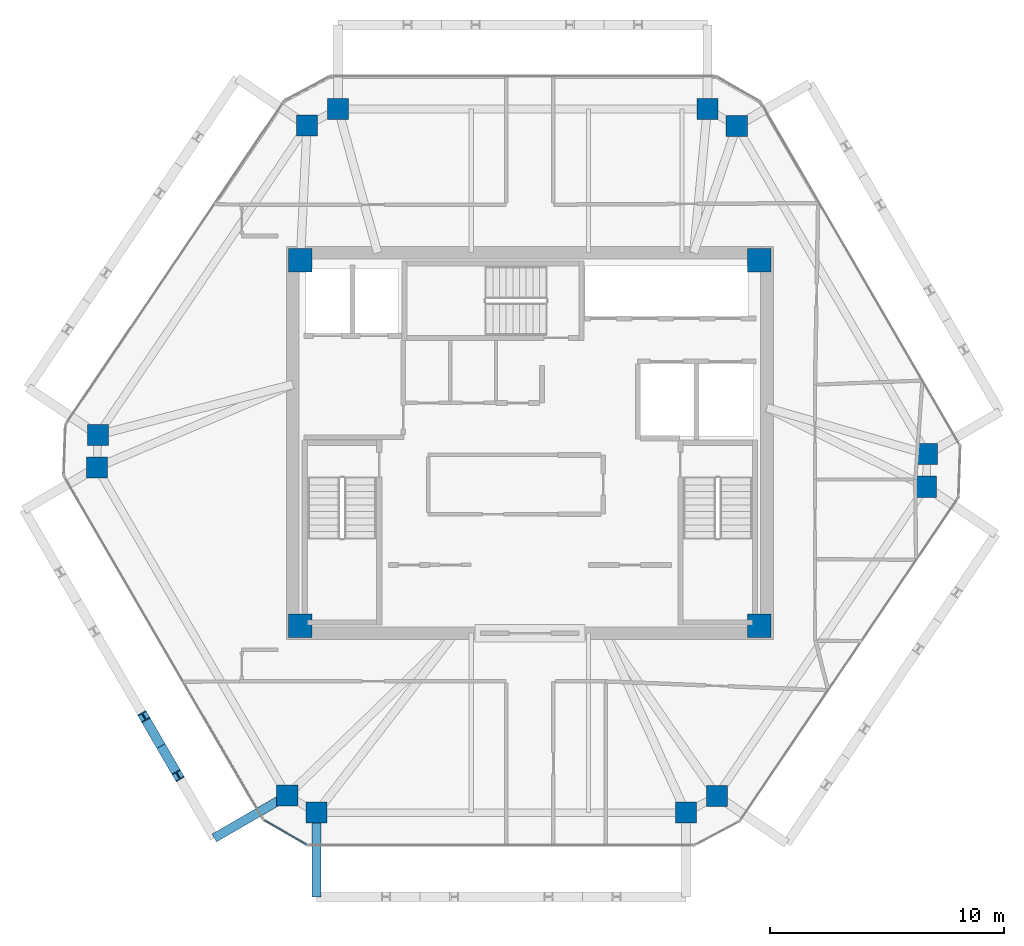
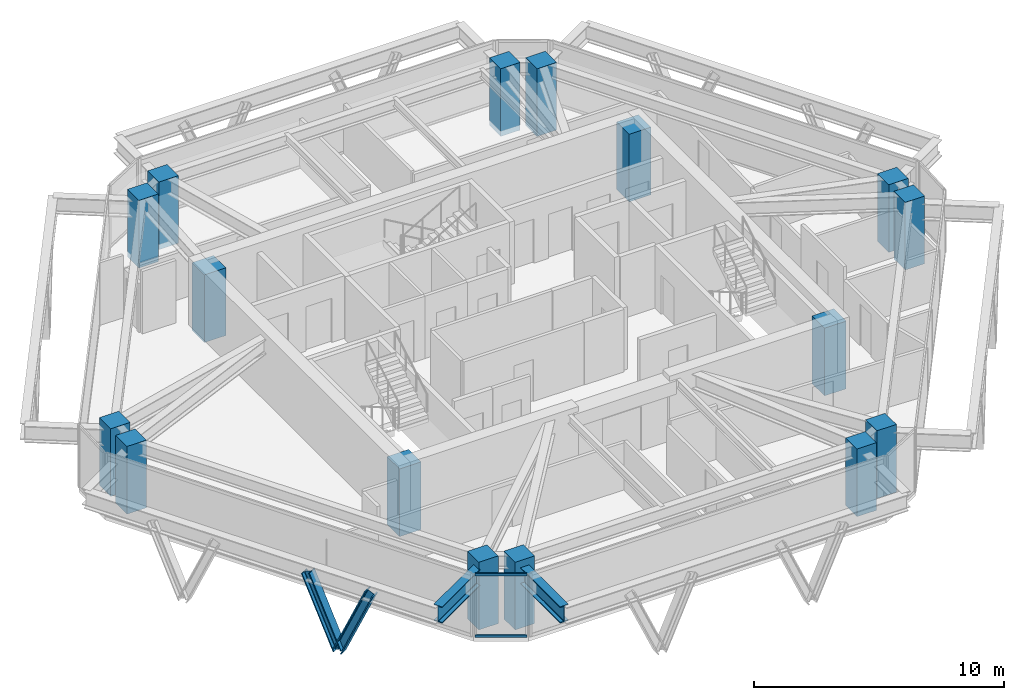
# One storey, part 1 of 11: 16 columns, 4 members, 2 beams, 1 element without a shape of its own.
"""IFC4 building model written with IfcOpenShell, lengths in metres."""

from ifc_helpers import new_model, si_unit, direction, frame, origin, origin_2d, place, context, subcontext, project, spatial, rectangle, i_section, extrude, source, transform, mapped, material, layer, layer_set, material_profile, profile_set, type_object, type_shapes, element, aggregate, save


model = new_model("IFC4")

# Units and contexts
model_context = context("Model", 3, precision=1e-05, world=origin(), true_north=direction((0.0, 1.0)))
body_context = subcontext(model_context, "Body", "Model", "MODEL_VIEW")
ifc_project = project(units=[si_unit("LENGTHUNIT", "METRE"), si_unit("AREAUNIT", "SQUARE_METRE"), si_unit("VOLUMEUNIT", "CUBIC_METRE"), si_unit("PLANEANGLEUNIT", "RADIAN"), si_unit("MASSUNIT", "GRAM", prefix="KILO")], contexts=[model_context])

# Site, building, storey
site_placement = place(None, origin())
site = spatial("IfcSite", under=ifc_project, at=site_placement, CompositionType="ELEMENT")
building_placement = place(site_placement, origin())
building = spatial("IfcBuilding", under=site, at=building_placement, Name="Durnholm Broadcast Tower", CompositionType="ELEMENT")
storey_placement = place(building_placement, frame((0.0, 0.0, 218.300048828125)))
storey = spatial("IfcBuildingStorey", under=building, at=storey_placement, Name="L60", CompositionType="ELEMENT", Elevation=218.300048828125)

# Columns
ifc_material_1 = material(Name="Concrete C70/85", Category="concrete")
ifc_material_profile_1 = material_profile(ifc_material_1, rectangle(XDim=1.0, YDim=1.0, at=origin_2d()), Name="RC1000X1000")
ifc_profile_set_1 = profile_set([ifc_material_profile_1], Name="Concrete C70/85")
column_type_1 = type_object("IfcColumnType", Name="COL-CC-1000", PredefinedType="COLUMN", material=ifc_profile_set_1)
shared_shape_1 = source(origin(), body_context, "Body", "SweptSolid", [
    extrude(rectangle(XDim=1.0, YDim=1.0, at=origin_2d()), origin(), (0.0, 0.0, 1.0), 3.300048828125),
])
type_shapes(column_type_1, [shared_shape_1])
for number, where, z_axis, x_axis, name in (
    (1, (-9.800048828125, -7.800048828125, -0.239990234375), (0.0, 0.0, 1.0), (1.0, 0.0, 0.0), "L60 core corner column 1"),
    (2, (9.800048828125, -7.800048828125, -0.239990234375), (0.0, 0.0, 1.0), (1.0, 0.0, 0.0), "L60 core corner column 2"),
    (3, (9.800048828125, 7.800048828125, -0.239990234375), (0.0, 0.0, 1.0), (1.0, 0.0, 0.0), "L60 core corner column 3"),
    (4, (-9.800048828125, 7.800048828125, -0.239990234375), (0.0, 0.0, 1.0), (1.0, 0.0, 0.0), "L60 core corner column 4"),
):
    element("IfcColumn", number, at=place(storey_placement, frame(where, z_axis=z_axis, x_axis=x_axis)), inside=storey, type_object=column_type_1, Name=name, PredefinedType="COLUMN", context=body_context, shape_type="MappedRepresentation", body=[
        mapped(shared_shape_1, transform((0.0, 0.0, 0.0), x_axis=(1.0, 0.0, 0.0), y_axis=(0.0, 1.0, 0.0), z_axis=(0.0, 0.0, 1.0), scale=1.0)),
    ])
ifc_material_profile_2 = material_profile(ifc_material_1, rectangle(XDim=0.89990234375, YDim=0.89990234375, at=origin_2d()), Name="RC900X900")
ifc_profile_set_2 = profile_set([ifc_material_profile_2], Name="Concrete C70/85")
column_type_2 = type_object("IfcColumnType", Name="COL-CC-900", PredefinedType="COLUMN", material=ifc_profile_set_2)
shared_shape_2 = source(origin(), body_context, "Body", "SweptSolid", [
    extrude(rectangle(XDim=0.89990234375, YDim=0.89990234375, at=origin_2d()), origin(), (0.0, 0.0, 1.0), 3.300048828125),
])
type_shapes(column_type_2, [shared_shape_2])
for number, where, z_axis, x_axis, name in (
    (5, (-10.361328125, -15.061767578125, -0.239990234375), (0.0, 0.0, 1.0), (1.0, 0.0, 0.0), "L60 perimeter hexagonal tube column 01"),
    (6, (-18.494384765625, -1.0478515625, -0.239990234375), (0.0, 0.0, 1.0), (1.0, 0.0, 0.0), "L60 perimeter hexagonal tube column 02"),
    (7, (-18.4462890625, 0.345947265625, -0.239990234375), (0.0, 0.0, 1.0), (1.0, 0.0, 0.0), "L60 perimeter hexagonal tube column 03"),
    (8, (-9.514892578125, 13.557373046875, -0.239990234375), (0.0, 0.0, 1.0), (1.0, 0.0, 0.0), "L60 perimeter hexagonal tube column 04"),
    (9, (-8.187744140625, 14.261962890625, -0.239990234375), (0.0, 0.0, 1.0), (1.0, 0.0, 0.0), "L60 perimeter hexagonal tube column 05"),
    (10, (7.57958984375, 14.261962890625, -0.239990234375), (0.0, 0.0, 1.0), (1.0, 0.0, 0.0), "L60 perimeter hexagonal tube column 06"),
    (11, (8.83740234375, 13.53759765625, -0.239990234375), (0.0, 0.0, 1.0), (1.0, 0.0, 0.0), "L60 perimeter hexagonal tube column 07"),
    (12, (16.97021484375, -0.47607421875, -0.239990234375), (0.0, 0.0, 1.0), (1.0, 0.0, 0.0), "L60 perimeter hexagonal tube column 08"),
    (13, (16.92236328125, -1.869873046875, -0.239990234375), (0.0, 0.0, 1.0), (1.0, 0.0, 0.0), "L60 perimeter hexagonal tube column 09"),
    (14, (7.990966796875, -15.081298828125, -0.239990234375), (0.0, 0.0, 1.0), (1.0, 0.0, 0.0), "L60 perimeter hexagonal tube column 10"),
    (15, (6.663818359375, -15.785888671875, -0.239990234375), (0.0, 0.0, 1.0), (1.0, 0.0, 0.0), "L60 perimeter hexagonal tube column 11"),
    (16, (-9.103759765625, -15.785888671875, -0.239990234375), (0.0, 0.0, 1.0), (1.0, 0.0, 0.0), "L60 perimeter hexagonal tube column 12"),
):
    element("IfcColumn", number, at=place(storey_placement, frame(where, z_axis=z_axis, x_axis=x_axis)), inside=storey, type_object=column_type_2, Name=name, PredefinedType="COLUMN", context=body_context, shape_type="MappedRepresentation", body=[
        mapped(shared_shape_2, transform((0.0, 0.0, 0.0), x_axis=(1.0, 0.0, 0.0), y_axis=(0.0, 1.0, 0.0), z_axis=(0.0, 0.0, 1.0), scale=1.0)),
    ])

# Beams
ifc_material_2 = material(Name="Steel ASTM A992 Grade 50", Category="steel")
ifc_material_profile_3 = material_profile(ifc_material_2, i_section(OverallWidth=0.385009765625, OverallDepth=0.802978515625, WebThickness=0.023681640625, FlangeThickness=0.0419921875, FilletRadius=0.032958984375, at=origin_2d()), Name="W30X261")
ifc_profile_set_3 = profile_set([ifc_material_profile_3], Name="Steel ASTM A992 Grade 50")
beam_type = type_object("IfcBeamType", Name="BM-EXO-TIE", PredefinedType="USERDEFINED", material=ifc_profile_set_3)
shared_shape_3 = source(origin(), body_context, "Body", "SweptSolid", [
    extrude(i_section(OverallWidth=0.385009765625, OverallDepth=0.802978515625, WebThickness=0.023681640625, FlangeThickness=0.0419921875, FilletRadius=0.032958984375, at=origin_2d()), origin(), (0.0, 0.0, 1.0), 3.4560546875),
])
type_shapes(beam_type, [shared_shape_3])
for number, where, z_axis, x_axis, name in (
    (17, (-9.103759765625, -15.929931640625, 2.30859375), (0.0, -1.0, 0.0), (1.0, 0.0, 0.0), "L60 exoskeleton stand-off tie bracket F1.1"),
    (18, (-10.48583984375, -15.134033203125, 2.30859375), (-0.864924479231, -0.501902027518, 0.0), (0.501902027518, -0.864924479231, 0.0), "L60 exoskeleton stand-off tie bracket F6.2"),
):
    element("IfcBeam", number, at=place(storey_placement, frame(where, z_axis=z_axis, x_axis=x_axis)), inside=storey, type_object=beam_type, Name=name, ObjectType="GIRDER", PredefinedType="USERDEFINED", context=body_context, shape_type="MappedRepresentation", body=[
        mapped(shared_shape_3, transform((0.0, 0.0, 0.0), x_axis=(1.0, 0.0, 0.0), y_axis=(0.0, 1.0, 0.0), z_axis=(0.0, 0.0, 1.0), scale=1.0)),
    ])

# Members
ifc_material_3 = material(Name="Steel ASTM A913 Grade 65", Category="steel")
ifc_material_profile_4 = material_profile(ifc_material_3, i_section(OverallWidth=0.40625, OverallDepth=0.416015625, WebThickness=0.02978515625, FlangeThickness=0.048095703125, FilletRadius=0.030517578125, at=origin_2d()), Name="W14X257")
ifc_profile_set_4 = profile_set([ifc_material_profile_4], Name="Steel ASTM A913 Grade 65")
member_type_1 = type_object("IfcMemberType", Name="STL-DG-W14X257", PredefinedType="BRACE", material=ifc_profile_set_4)
shared_shape_4 = source(origin(), body_context, "Body", "SweptSolid", [
    extrude(i_section(OverallWidth=0.40625, OverallDepth=0.416015625, WebThickness=0.02978515625, FlangeThickness=0.048095703125, FilletRadius=0.030517578125, at=origin_2d()), origin(), (0.0, 0.0, 1.0), 3.60791015625),
])
type_shapes(member_type_1, [shared_shape_4])
for number, where, z_axis, x_axis, name in (
    (19, (-15.752197265625, -12.94482421875, -0.991455078125), (-0.202871189729, 0.349577240207, 0.914679743685), (-0.864906184135, -0.501933554014, 0.0), "L60 stand-off diagrid brace F6.D2.1"),
    (20, (-15.752197265625, -12.94482421875, -0.991455078125), (0.202871189729, -0.349577240207, 0.914679743685), (0.864906184135, 0.501933554014, 0.0), "L60 stand-off diagrid brace F6.D2.2"),
):
    element("IfcMember", number, at=place(storey_placement, frame(where, z_axis=z_axis, x_axis=x_axis)), inside=storey, type_object=member_type_1, Name=name, PredefinedType="BRACE", context=body_context, shape_type="MappedRepresentation", body=[
        mapped(shared_shape_4, transform((0.0, 0.0, 0.0), x_axis=(1.0, 0.0, 0.0), y_axis=(0.0, 1.0, 0.0), z_axis=(0.0, 0.0, 1.0), scale=1.0)),
    ])

# Curtain wall, members
ifc_material_4 = material(Name="Aluminium and Solar Control IGU", Category="aluminium")
ifc_layer = layer(ifc_material_4, 0.1650390625)
ifc_layer_set = layer_set([ifc_layer], Name="Aluminium and Solar Control IGU")
curtain_wall_type = type_object("IfcCurtainWallType", Name="CW-SYS-5", PredefinedType="NOTDEFINED", material=ifc_layer_set)
curtain_wall_placement = place(storey_placement, origin())
curtain_wall = element("IfcCurtainWall", 21, at=curtain_wall_placement, inside=storey, type_object=curtain_wall_type, Name="L60 curtain wall CW-CORNER CW-L60-CRN-11", PredefinedType="NOTDEFINED")
ifc_material_5 = material(Name="Aluminium 6063-T6", Category="aluminium")
ifc_material_profile_5 = material_profile(ifc_material_5, rectangle(XDim=0.06494140625, YDim=0.1298828125, at=origin_2d()), Name="CWT65X130")
ifc_profile_set_5 = profile_set([ifc_material_profile_5], Name="Aluminium 6063-T6")
member_type_2 = type_object("IfcMemberType", Name="CW-SYS-5-TRN", PredefinedType="USERDEFINED", material=ifc_profile_set_5)
shared_shape_5 = source(origin(), body_context, "Body", "SweptSolid", [
    extrude(rectangle(XDim=0.06494140625, YDim=0.1298828125, at=origin_2d()), origin(), (0.0, 0.0, 1.0), 2.06982421875),
])
type_shapes(member_type_2, [shared_shape_5])
member_1_placement = place(storey_placement, frame((-9.534423828125, -17.153564453125, 0.032470703125), z_axis=(-0.866576086718, 0.499044973854, 0.0), x_axis=(-0.499044973854, -0.866576086718, 0.0)))
member_1 = element("IfcMember", 22, at=member_1_placement, type_object=member_type_2, Name="CW-CORNER transom 1.1", ObjectType="TRANSOM", PredefinedType="USERDEFINED", context=body_context, shape_type="MappedRepresentation", body=[
    mapped(shared_shape_5, transform((0.0, 0.0, 0.0), x_axis=(1.0, 0.0, 0.0), y_axis=(0.0, 1.0, 0.0), z_axis=(0.0, 0.0, 1.0), scale=1.0)),
])
member_2_placement = place(storey_placement, frame((-9.534423828125, -17.153564453125, 3.02734375), z_axis=(-0.866576086718, 0.499044973854, 0.0), x_axis=(-0.499044973854, -0.866576086718, 0.0)))
member_2 = element("IfcMember", 23, at=member_2_placement, type_object=member_type_2, Name="CW-CORNER transom 1.2", ObjectType="TRANSOM", PredefinedType="USERDEFINED", context=body_context, shape_type="MappedRepresentation", body=[
    mapped(shared_shape_5, transform((0.0, 0.0, 0.0), x_axis=(1.0, 0.0, 0.0), y_axis=(0.0, 1.0, 0.0), z_axis=(0.0, 0.0, 1.0), scale=1.0)),
])
aggregate(curtain_wall, [member_1, member_2])

save(model, "model.ifc")
